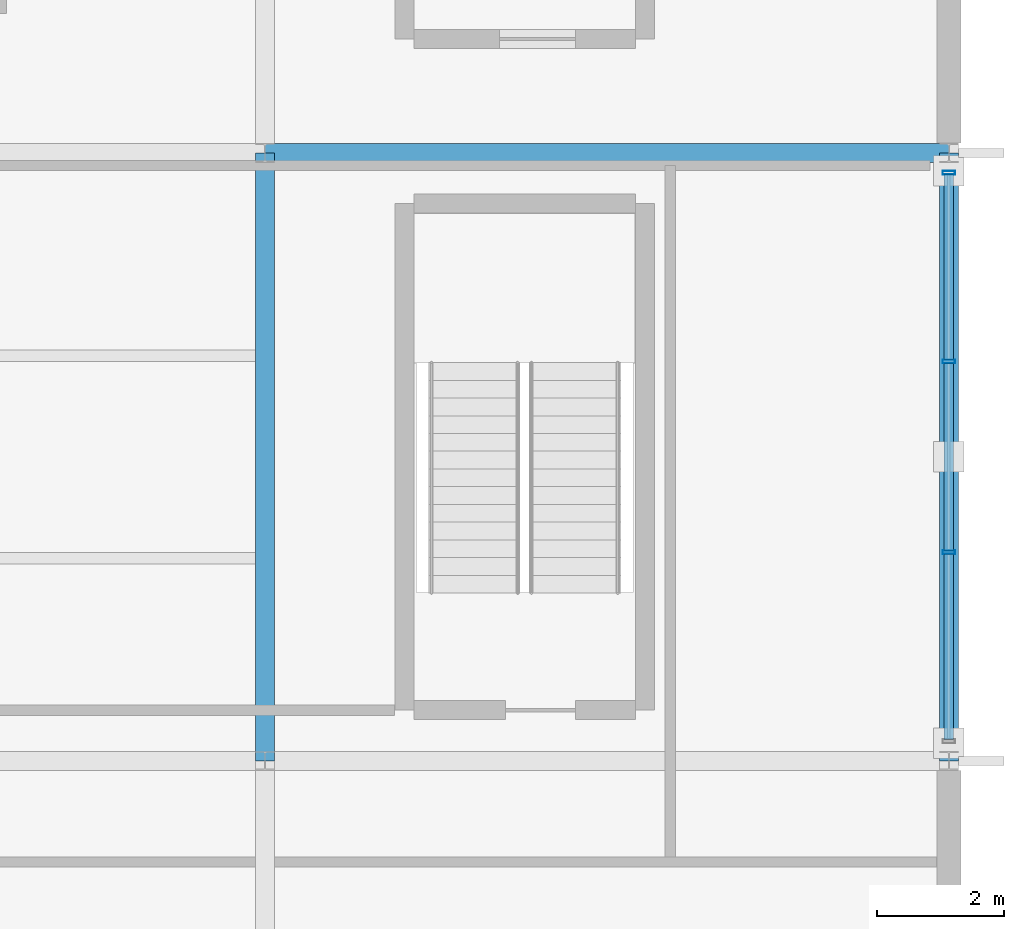
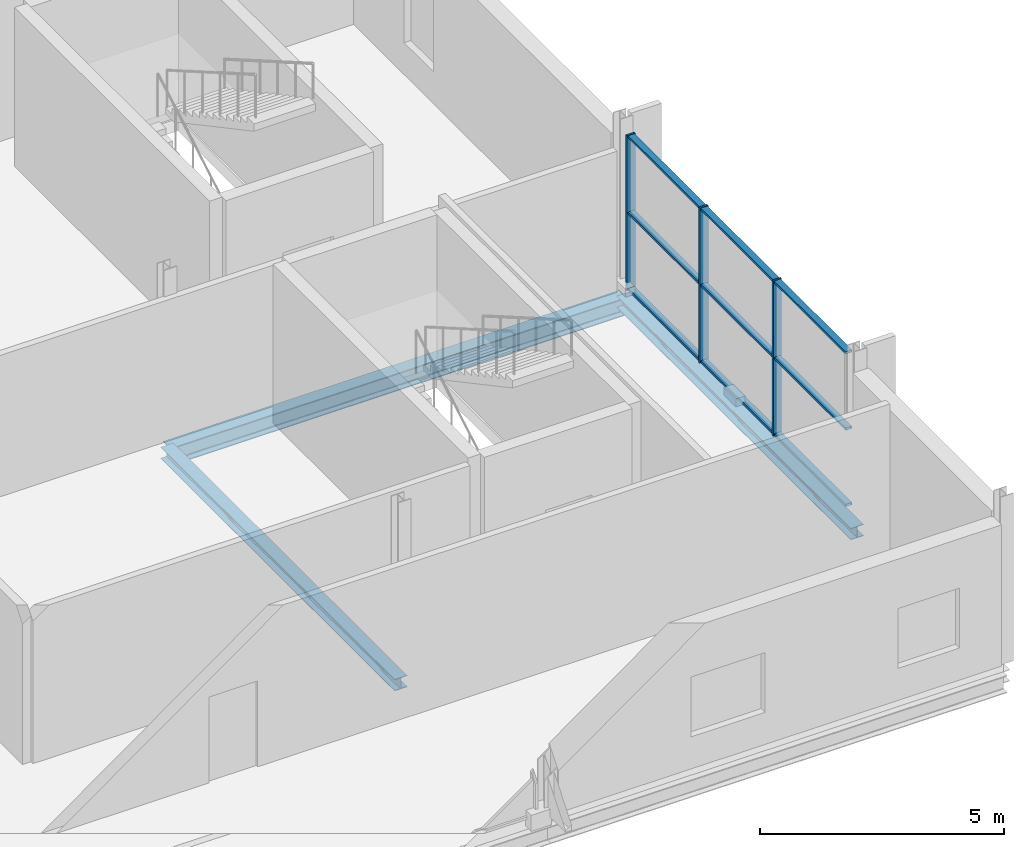
# One storey, part 9 of 13: 12 members, 3 beams, 1 element without a shape of its own.
"""IFC4 building model written with IfcOpenShell, lengths in metres."""

from ifc_helpers import new_model, si_unit, direction, frame, origin, origin_2d, place, context, subcontext, project, spatial, hollow_rectangle, i_section, extrude, material, material_profile, profile_set, type_object, element, aggregate, save


model = new_model("IFC4")

# Units and contexts
model_context = context("Model", 3, precision=1e-05, world=origin(), true_north=direction((0.0, 1.0)))
body_context = subcontext(model_context, "Body", "Model", "MODEL_VIEW")
ifc_project = project(units=[si_unit("LENGTHUNIT", "METRE"), si_unit("AREAUNIT", "SQUARE_METRE"), si_unit("VOLUMEUNIT", "CUBIC_METRE"), si_unit("PLANEANGLEUNIT", "RADIAN"), si_unit("MASSUNIT", "GRAM", prefix="KILO")], contexts=[model_context])

# Site, building, storey
site_placement = place(None, origin())
site = spatial("IfcSite", under=ifc_project, at=site_placement, CompositionType="ELEMENT")
building_placement = place(site_placement, origin())
building = spatial("IfcBuilding", under=site, at=building_placement, Name="Merenkruunu Market Hall", CompositionType="ELEMENT")
storey_placement = place(building_placement, frame((0.0, 0.0, 14.39990234375)))
storey = spatial("IfcBuildingStorey", under=building, at=storey_placement, Name="L03", CompositionType="ELEMENT", Elevation=14.39990234375)

# Curtain wall, members
ifc_material_1 = material(Name="Powder-coated aluminium", Category="aluminium")
curtain_wall_type = type_object("IfcCurtainWallType", Name="Glazed Curtain Wall CW07", PredefinedType="USERDEFINED", material=ifc_material_1)
curtain_wall_placement = place(storey_placement, origin())
curtain_wall = element("IfcCurtainWall", 1, at=curtain_wall_placement, inside=storey, type_object=curtain_wall_type, Name="CW-L03-CWM03-221", ObjectType="GLAZED_FACADE", PredefinedType="USERDEFINED")
ifc_material_profile_1 = material_profile(ifc_material_1, hollow_rectangle(XDim=0.06005859375, YDim=0.199951171875, WallThickness=0.0048828125, at=origin_2d()), Name="ALU 60x200x5")
ifc_profile_set_1 = profile_set([ifc_material_profile_1], Name="Powder-coated aluminium")
member_type_1 = type_object("IfcMemberType", Name="Curtain Wall Mullion CWM03", PredefinedType="MULLION", material=ifc_profile_set_1)
member_1_placement = place(storey_placement, frame((192.0, 15.2900390625, 0.0), z_axis=(0.0, 0.0, 1.0), x_axis=(0.0, -1.0, 0.0)))
member_1 = element("IfcMember", 2, at=member_1_placement, type_object=member_type_1, Name="CW07 mullion 1", PredefinedType="MULLION", context=body_context, shape_type="SweptSolid", body=[
    extrude(hollow_rectangle(XDim=0.06005859375, YDim=0.199951171875, WallThickness=0.0048828125, at=origin_2d()), origin(), (0.0, 0.0, 1.0), 3.880126953125),
])
member_2_placement = place(storey_placement, frame((192.0, 12.306640625, 0.0), z_axis=(0.0, 0.0, 1.0), x_axis=(0.0, -1.0, 0.0)))
member_2 = element("IfcMember", 3, at=member_2_placement, type_object=member_type_1, Name="CW07 mullion 2", PredefinedType="MULLION", context=body_context, shape_type="SweptSolid", body=[
    extrude(hollow_rectangle(XDim=0.06005859375, YDim=0.199951171875, WallThickness=0.0048828125, at=origin_2d()), origin(), (0.0, 0.0, 1.0), 3.880126953125),
])
member_3_placement = place(storey_placement, frame((192.0, 9.293212890625, 0.0), z_axis=(0.0, 0.0, 1.0), x_axis=(0.0, -1.0, 0.0)))
member_3 = element("IfcMember", 4, at=member_3_placement, type_object=member_type_1, Name="CW07 mullion 3", PredefinedType="MULLION", context=body_context, shape_type="SweptSolid", body=[
    extrude(hollow_rectangle(XDim=0.06005859375, YDim=0.199951171875, WallThickness=0.0048828125, at=origin_2d()), origin(), (0.0, 0.0, 1.0), 3.880126953125),
])
ifc_material_profile_2 = material_profile(ifc_material_1, hollow_rectangle(XDim=0.06005859375, YDim=0.14990234375, WallThickness=0.00390625, at=origin_2d()), Name="ALU 60x150x4")
ifc_profile_set_2 = profile_set([ifc_material_profile_2], Name="Powder-coated aluminium")
member_type_2 = type_object("IfcMemberType", Name="Curtain Wall Transom CWT04", PredefinedType="USERDEFINED", material=ifc_profile_set_2)
member_4_placement = place(storey_placement, frame((192.0, 15.260009765625, 0.030029296875), z_axis=(0.0, -1.0, 0.0), x_axis=(0.0, 0.0, 1.0)))
member_4 = element("IfcMember", 5, at=member_4_placement, type_object=member_type_2, Name="CW07 transom 1.1", ObjectType="TRANSOM", PredefinedType="USERDEFINED", context=body_context, shape_type="SweptSolid", body=[
    extrude(hollow_rectangle(XDim=0.06005859375, YDim=0.14990234375, WallThickness=0.00390625, at=origin_2d()), origin(), (0.0, 0.0, 1.0), 2.92333984375),
])
member_5_placement = place(storey_placement, frame((192.0, 15.260009765625, 1.940185546875), z_axis=(0.0, -1.0, 0.0), x_axis=(0.0, 0.0, 1.0)))
member_5 = element("IfcMember", 6, at=member_5_placement, type_object=member_type_2, Name="CW07 transom 1.2", ObjectType="TRANSOM", PredefinedType="USERDEFINED", context=body_context, shape_type="SweptSolid", body=[
    extrude(hollow_rectangle(XDim=0.06005859375, YDim=0.14990234375, WallThickness=0.00390625, at=origin_2d()), origin(), (0.0, 0.0, 1.0), 2.92333984375),
])
member_6_placement = place(storey_placement, frame((192.0, 15.260009765625, 3.85009765625), z_axis=(0.0, -1.0, 0.0), x_axis=(0.0, 0.0, 1.0)))
member_6 = element("IfcMember", 7, at=member_6_placement, type_object=member_type_2, Name="CW07 transom 1.3", ObjectType="TRANSOM", PredefinedType="USERDEFINED", context=body_context, shape_type="SweptSolid", body=[
    extrude(hollow_rectangle(XDim=0.06005859375, YDim=0.14990234375, WallThickness=0.00390625, at=origin_2d()), origin(), (0.0, 0.0, 1.0), 2.92333984375),
])
member_7_placement = place(storey_placement, frame((192.0, 12.276611328125, 0.030029296875), z_axis=(0.0, -1.0, 0.0), x_axis=(0.0, 0.0, 1.0)))
member_7 = element("IfcMember", 8, at=member_7_placement, type_object=member_type_2, Name="CW07 transom 2.1", ObjectType="TRANSOM", PredefinedType="USERDEFINED", context=body_context, shape_type="SweptSolid", body=[
    extrude(hollow_rectangle(XDim=0.06005859375, YDim=0.14990234375, WallThickness=0.00390625, at=origin_2d()), origin(), (0.0, 0.0, 1.0), 2.953369140625),
])
member_8_placement = place(storey_placement, frame((192.0, 12.276611328125, 1.940185546875), z_axis=(0.0, -1.0, 0.0), x_axis=(0.0, 0.0, 1.0)))
member_8 = element("IfcMember", 9, at=member_8_placement, type_object=member_type_2, Name="CW07 transom 2.2", ObjectType="TRANSOM", PredefinedType="USERDEFINED", context=body_context, shape_type="SweptSolid", body=[
    extrude(hollow_rectangle(XDim=0.06005859375, YDim=0.14990234375, WallThickness=0.00390625, at=origin_2d()), origin(), (0.0, 0.0, 1.0), 2.953369140625),
])
member_9_placement = place(storey_placement, frame((192.0, 12.276611328125, 3.85009765625), z_axis=(0.0, -1.0, 0.0), x_axis=(0.0, 0.0, 1.0)))
member_9 = element("IfcMember", 10, at=member_9_placement, type_object=member_type_2, Name="CW07 transom 2.3", ObjectType="TRANSOM", PredefinedType="USERDEFINED", context=body_context, shape_type="SweptSolid", body=[
    extrude(hollow_rectangle(XDim=0.06005859375, YDim=0.14990234375, WallThickness=0.00390625, at=origin_2d()), origin(), (0.0, 0.0, 1.0), 2.953369140625),
])
member_10_placement = place(storey_placement, frame((192.0, 9.263427734375, 0.030029296875), z_axis=(0.0, -1.0, 0.0), x_axis=(0.0, 0.0, 1.0)))
member_10 = element("IfcMember", 11, at=member_10_placement, type_object=member_type_2, Name="CW07 transom 3.1", ObjectType="TRANSOM", PredefinedType="USERDEFINED", context=body_context, shape_type="SweptSolid", body=[
    extrude(hollow_rectangle(XDim=0.06005859375, YDim=0.14990234375, WallThickness=0.00390625, at=origin_2d()), origin(), (0.0, 0.0, 1.0), 2.92333984375),
])
member_11_placement = place(storey_placement, frame((192.0, 9.263427734375, 1.940185546875), z_axis=(0.0, -1.0, 0.0), x_axis=(0.0, 0.0, 1.0)))
member_11 = element("IfcMember", 12, at=member_11_placement, type_object=member_type_2, Name="CW07 transom 3.2", ObjectType="TRANSOM", PredefinedType="USERDEFINED", context=body_context, shape_type="SweptSolid", body=[
    extrude(hollow_rectangle(XDim=0.06005859375, YDim=0.14990234375, WallThickness=0.00390625, at=origin_2d()), origin(), (0.0, 0.0, 1.0), 2.92333984375),
])
member_12_placement = place(storey_placement, frame((192.0, 9.263427734375, 3.85009765625), z_axis=(0.0, -1.0, 0.0), x_axis=(0.0, 0.0, 1.0)))
member_12 = element("IfcMember", 13, at=member_12_placement, type_object=member_type_2, Name="CW07 transom 3.3", ObjectType="TRANSOM", PredefinedType="USERDEFINED", context=body_context, shape_type="SweptSolid", body=[
    extrude(hollow_rectangle(XDim=0.06005859375, YDim=0.14990234375, WallThickness=0.00390625, at=origin_2d()), origin(), (0.0, 0.0, 1.0), 2.92333984375),
])
aggregate(curtain_wall, [member_1, member_2, member_3, member_4, member_5, member_6, member_7, member_8, member_9, member_10, member_11, member_12])

# Beams
ifc_material_2 = material(Name="Steel S355J2", Category="steel")
ifc_material_profile_3 = material_profile(ifc_material_2, i_section(OverallWidth=0.300048828125, OverallDepth=0.43994140625, WebThickness=0.011474609375, FlangeThickness=0.02099609375, FilletRadius=0.027099609375, at=origin_2d()), Name="HEA 450")
ifc_profile_set_3 = profile_set([ifc_material_profile_3], Name="Steel S355J2")
beam_type_1 = type_object("IfcBeamType", Name="Primary Floor Girder B07", PredefinedType="BEAM", material=ifc_profile_set_3)
beam_placement = place(storey_placement, frame((181.199951171875, 15.60009765625, -0.52978515625), z_axis=(1.0, 0.0, 0.0), x_axis=(0.0, 1.0, 0.0)))
element("IfcBeam", 14, at=beam_placement, inside=storey, type_object=beam_type_1, Name="BM-L03-B07-0866", PredefinedType="BEAM", context=body_context, shape_type="SweptSolid", body=[
    extrude(i_section(OverallWidth=0.300048828125, OverallDepth=0.43994140625, WebThickness=0.011474609375, FlangeThickness=0.02099609375, FilletRadius=0.027099609375, at=origin_2d()), origin(), (0.0, 0.0, 1.0), 10.800048828125),
])
ifc_material_profile_4 = material_profile(ifc_material_2, i_section(OverallWidth=0.300048828125, OverallDepth=0.2900390625, WebThickness=0.008544921875, FlangeThickness=0.013916015625, FilletRadius=0.027099609375, at=origin_2d()), Name="HEA 300")
ifc_profile_set_4 = profile_set([ifc_material_profile_4], Name="Steel S355J2")
beam_type_2 = type_object("IfcBeamType", Name="Primary Floor Girder B09", PredefinedType="BEAM", material=ifc_profile_set_4)
for number, where, z_axis, x_axis, name in (
    (15, (181.199951171875, 6.0, -0.454833984375), (0.0, 1.0, 0.0), (-1.0, 0.0, 0.0), "BM-L03-B09-0888"),
    (16, (192.0, 6.0, -0.454833984375), (0.0, 1.0, 0.0), (-1.0, 0.0, 0.0), "BM-L03-B09-0892"),
):
    element("IfcBeam", number, at=place(storey_placement, frame(where, z_axis=z_axis, x_axis=x_axis)), inside=storey, type_object=beam_type_2, Name=name, PredefinedType="BEAM", context=body_context, shape_type="SweptSolid", body=[
        extrude(i_section(OverallWidth=0.300048828125, OverallDepth=0.2900390625, WebThickness=0.008544921875, FlangeThickness=0.013916015625, FilletRadius=0.027099609375, at=origin_2d()), origin(), (0.0, 0.0, 1.0), 9.60009765625),
    ])

save(model, "model.ifc")
